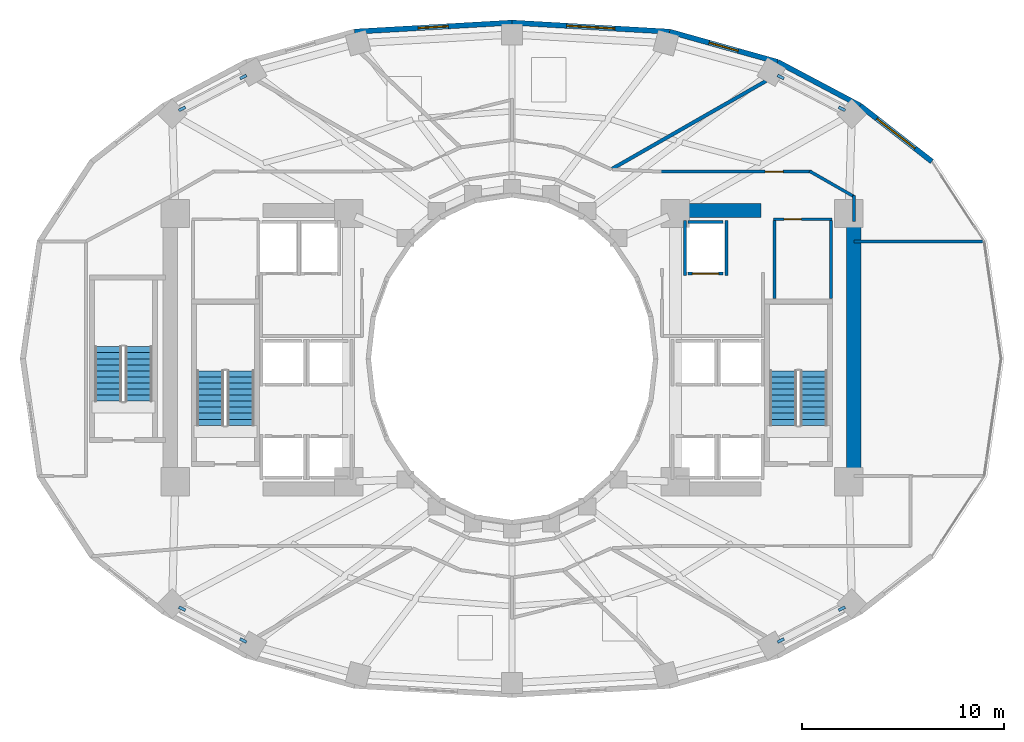
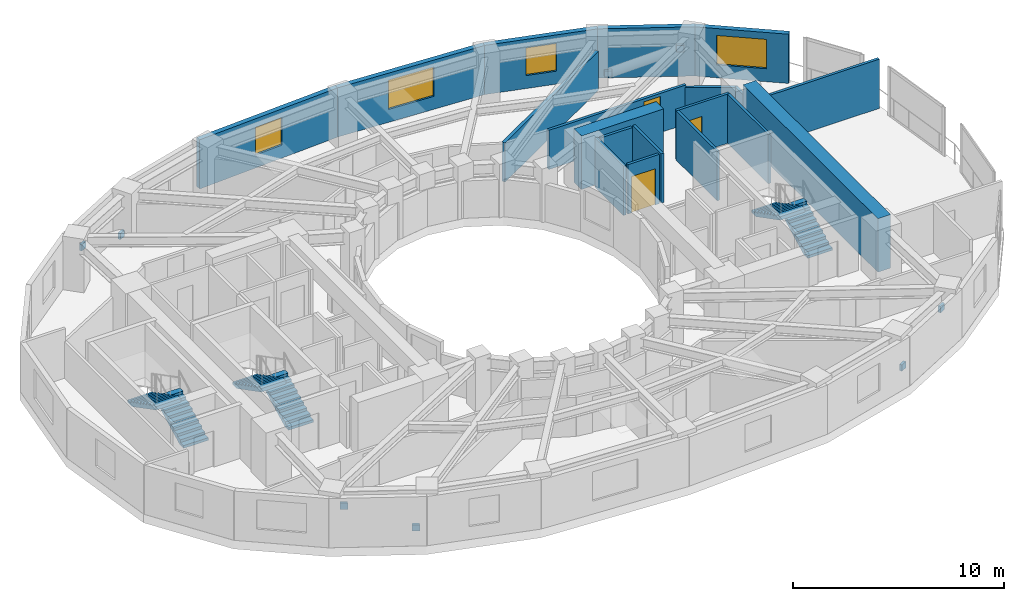
# One storey, part 10 of 13: 19 walls, 8 discrete accessories, 6 stair flights, 4 windows, 3 doors, 7 openings, 3 elements without a shape of their own.
"""IFC4 building model written with IfcOpenShell, lengths in metres."""

from ifc_helpers import new_model, si_unit, direction, frame, frame_2d, origin, origin_2d, place, context, subcontext, project, spatial, polyline, rectangle, outline, extrude, material, layer, layer_set, type_object, element, fill, aggregate, save


model = new_model("IFC4")

# Units and contexts
model_context = context("Model", 3, precision=1e-05, world=origin(), true_north=direction((0.0, 1.0)))
body_context = subcontext(model_context, "Body", "Model", "MODEL_VIEW")
ifc_project = project(units=[si_unit("LENGTHUNIT", "METRE"), si_unit("AREAUNIT", "SQUARE_METRE"), si_unit("VOLUMEUNIT", "CUBIC_METRE"), si_unit("PLANEANGLEUNIT", "RADIAN"), si_unit("MASSUNIT", "GRAM", prefix="KILO")], contexts=[model_context])

# Site, building, storey
site_placement = place(None, origin())
site = spatial("IfcSite", under=ifc_project, at=site_placement, CompositionType="ELEMENT")
building_placement = place(site_placement, origin())
building = spatial("IfcBuilding", under=site, at=building_placement, Name="Solvane Sanctuary Tower", CompositionType="ELEMENT")
storey_placement = place(building_placement, frame((0.0, 0.0, 85.60009765625)))
storey = spatial("IfcBuildingStorey", under=building, at=storey_placement, Name="L25", CompositionType="ELEMENT", Elevation=85.60009765625)

# Walls
ifc_material_1 = material(Name="Concrete C60/75", Category="concrete")
ifc_layer_1 = layer(ifc_material_1, 0.699951171875, Name="Concrete C60/75")
ifc_layer_set_1 = layer_set([ifc_layer_1], Name="Concrete C60/75")
wall_type_1 = type_object("IfcWallType", Name="Wall W-CORE-700", PredefinedType="SHEAR", material=ifc_layer_set_1)
wall_1_placement = place(storey_placement, frame((48.949951171875, 17.050048828125, 0.0), z_axis=(0.0, 0.0, 1.0), x_axis=(0.0, 1.0, 0.0)))
element("IfcWall", 1, at=wall_1_placement, inside=storey, type_object=wall_type_1, Name="L25 Core Shear Wall EC-E", PredefinedType="SHEAR", context=body_context, shape_type="SweptSolid", body=[
    extrude(rectangle(XDim=12.800048828125, YDim=0.699951171875, at=frame_2d((6.39990234375, 0.0))), origin(), (0.0, 0.0, 1.0), 3.099853515625),
])
wall_2_placement = place(storey_placement, frame((39.85009765625, 30.35009765625, 0.0), z_axis=(0.0, 0.0, 1.0), x_axis=(1.0, 0.0, 0.0)))
element("IfcWall", 2, at=wall_2_placement, inside=storey, type_object=wall_type_1, Name="L25 Core Shear Wall EC-N", PredefinedType="SHEAR", context=body_context, shape_type="SweptSolid", body=[
    extrude(rectangle(XDim=4.5, YDim=0.699951171875, at=frame_2d((2.25, 0.0))), origin(), (0.0, 0.0, 1.0), 3.099853515625),
])
ifc_material_2 = material(Name="Acoustic Gypsum Partition Board")
ifc_layer_2 = layer(ifc_material_2, 0.14990234375, Name="Acoustic Gypsum Partition Board")
ifc_layer_set_2 = layer_set([ifc_layer_2], Name="Acoustic Gypsum Partition Board")
wall_type_2 = type_object("IfcWallType", Name="Wall W-CORR-150", PredefinedType="PARTITIONING", material=ifc_layer_set_2)
wall_3_placement = place(storey_placement, frame((48.949951171875, 28.8251953125, 0.0), z_axis=(0.0, 0.0, 1.0), x_axis=(1.0, 0.0, 0.0)))
element("IfcWall", 3, at=wall_3_placement, inside=storey, type_object=wall_type_2, Name="L25 East Shoulder North Wall", PredefinedType="PARTITIONING", context=body_context, shape_type="SweptSolid", body=[
    extrude(rectangle(XDim=6.49169921875, YDim=0.14990234375, at=frame_2d((3.245849609375, 0.0))), origin(), (0.0, 0.0, 1.0), 2.85498046875),
])
wall_4_placement = place(storey_placement, frame((48.949951171875, 29.800048828125, 0.0), z_axis=(0.0, 0.0, 1.0), x_axis=(0.0, 1.0, 0.0)))
element("IfcWall", 4, at=wall_4_placement, inside=storey, type_object=wall_type_2, Name="L25 NE Corner Closer 1", PredefinedType="PARTITIONING", context=body_context, shape_type="SweptSolid", body=[
    extrude(rectangle(XDim=1.2900390625, YDim=0.14990234375, at=frame_2d((0.64501953125, 0.0))), origin(), (0.0, 0.0, 1.0), 2.141845703125),
])

# Wall, opening, door
wall_5_placement = place(storey_placement, frame((39.330078125, 32.280029296875, 0.0), z_axis=(0.0, 0.0, 1.0), x_axis=(1.0, 0.0, 0.0)))
wall_5 = element("IfcWall", 5, at=wall_5_placement, inside=storey, type_object=wall_type_2, Name="L25 NE Corner Corridor Wall", PredefinedType="PARTITIONING", context=body_context, shape_type="SweptSolid", body=[
    extrude(rectangle(XDim=7.52001953125, YDim=0.14990234375, at=frame_2d((3.760009765625, 0.0))), origin(), (0.0, 0.0, 1.0), 2.27197265625),
])
opening_1_placement = place(wall_5_placement, frame((5.219970703125, 0.0, 0.0)))
opening_1 = element("IfcOpeningElement", 6, at=opening_1_placement, cuts=wall_5, Name="Opening D-L25-10", PredefinedType="OPENING", context=body_context, shape_type="SweptSolid", body=[
    extrude(rectangle(XDim=0.89990234375, YDim=2.10009765625, at=frame_2d((0.449951171875, 1.050048828125))), frame((0.0, 0.0849609375, 0.0), z_axis=(0.0, -1.0, 0.0), x_axis=(1.0, 0.0, 0.0)), (0.0, 0.0, 1.0), 0.169921875),
])
ifc_material_3 = material(Name="Engineered Tropical Hardwood", Category="wood")
door_type_1 = type_object("IfcDoorType", Name="Door D-WET-900", OperationType="NOTDEFINED", PredefinedType="DOOR", material=ifc_material_3)
door_1_placement = place(opening_1_placement, origin())
door_1 = element("IfcDoor", 7, at=door_1_placement, inside=storey, type_object=door_type_1, Name="L25 NE Corner Salon Door", OperationType="SINGLE_SWING_LEFT", OverallHeight=2.10009765625, OverallWidth=0.89990234375, PredefinedType="DOOR", context=body_context, shape_type="SweptSolid", body=[
    extrude(rectangle(XDim=0.89990234375, YDim=2.10009765625, at=frame_2d((0.449951171875, 1.050048828125))), frame((0.0, 0.02490234375, 0.0), z_axis=(0.0, -1.0, 0.0), x_axis=(1.0, 0.0, 0.0)), (0.0, 0.0, 1.0), 0.050048828125),
])
fill(opening_1, door_1)

# Wall
wall_6_placement = place(storey_placement, frame((46.756591796875, 32.3046875, 0.0), z_axis=(0.0, 0.0, 1.0), x_axis=(0.867991349648, -0.496579315857, 0.0)))
element("IfcWall", 8, at=wall_6_placement, inside=storey, type_object=wall_type_2, Name="L25 NE Corner Wing Wall", PredefinedType="PARTITIONING", context=body_context, shape_type="SweptSolid", body=[
    extrude(rectangle(XDim=2.56689453125, YDim=0.14990234375, at=frame_2d((1.283447265625, 0.0))), origin(), (0.0, 0.0, 1.0), 2.141845703125),
])

# Wall, opening, window
ifc_material_4 = material(Name="Precast concrete C40/50", Category="concrete")
ifc_layer_3 = layer(ifc_material_4, 0.260009765625, Name="Precast concrete C40/50")
ifc_layer_set_3 = layer_set([ifc_layer_3], Name="Precast concrete C40/50")
wall_type_3 = type_object("IfcWallType", Name="Wall W-EXT-250", PredefinedType="STANDARD", material=ifc_layer_set_3)
wall_7_placement = place(storey_placement, frame((52.820556640625, 32.786376953125, 0.0), z_axis=(0.0, 0.0, 1.0), x_axis=(-0.789127449954, 0.614229491094, 0.0)))
wall_7 = element("IfcWall", 9, at=wall_7_placement, inside=storey, type_object=wall_type_3, Name="L25 Ceramic-Printed Facade Wall 02", PredefinedType="STANDARD", context=body_context, shape_type="SweptSolid", body=[
    extrude(rectangle(XDim=4.504638671875, YDim=0.260009765625, at=frame_2d((2.25244140625, 0.0))), origin(), (0.0, 0.0, 1.0), 2.849853515625),
])
opening_2_placement = place(wall_7_placement, frame((1.05224609375, 0.0, 0.75)))
opening_2 = element("IfcOpeningElement", 10, at=opening_2_placement, cuts=wall_7, Name="Opening WN-RIB-2400", PredefinedType="OPENING", context=body_context, shape_type="SweptSolid", body=[
    extrude(rectangle(XDim=2.39990234375, YDim=1.699951171875, at=frame_2d((1.199951171875, 0.85009765625))), frame((0.0, 0.139892578125, 0.0), z_axis=(0.0, -1.0, 0.0), x_axis=(1.0, 0.0, 0.0)), (0.0, 0.0, 1.0), 0.280029296875),
])
ifc_material_5 = material(Name="Dark Ceramic-Fritted Low-E Glass", Category="glass")
window_type_1 = type_object("IfcWindowType", Name="Window WN-RIB-2400", PartitioningType="SINGLE_PANEL", PredefinedType="WINDOW", material=ifc_material_5)
window_1_placement = place(opening_2_placement, origin())
window_1 = element("IfcWindow", 11, at=window_1_placement, inside=storey, type_object=window_type_1, Name="L25 Operable Facade Window 02", OverallHeight=1.699951171875, OverallWidth=2.39990234375, PartitioningType="SINGLE_PANEL", PredefinedType="WINDOW", context=body_context, shape_type="SweptSolid", body=[
    extrude(rectangle(XDim=2.39990234375, YDim=1.699951171875, at=frame_2d((1.199951171875, 0.85009765625))), frame((0.0, 0.030029296875, 0.0), z_axis=(0.0, -1.0, 0.0), x_axis=(1.0, 0.0, 0.0)), (0.0, 0.0, 1.0), 0.06005859375),
])
fill(opening_2, window_1)

# Wall
wall_8_placement = place(storey_placement, frame((49.265869140625, 35.55322265625, 0.0), z_axis=(0.0, 0.0, 1.0), x_axis=(-0.883668636807, 0.4681129568, 0.0)))
element("IfcWall", 12, at=wall_8_placement, inside=storey, type_object=wall_type_3, Name="L25 Ceramic-Printed Facade Wall 03", PredefinedType="STANDARD", context=body_context, shape_type="SweptSolid", body=[
    extrude(rectangle(XDim=4.63134765625, YDim=0.260009765625, at=frame_2d((2.315673828125, 0.0))), origin(), (0.0, 0.0, 1.0), 2.849853515625),
])

# Wall, opening, window
wall_9_placement = place(storey_placement, frame((45.17333984375, 37.72119140625, 0.0), z_axis=(0.0, 0.0, 1.0), x_axis=(-0.962938491413, 0.269721081407, 0.0)))
wall_9 = element("IfcWall", 13, at=wall_9_placement, inside=storey, type_object=wall_type_3, Name="L25 Ceramic-Printed Facade Wall 04", PredefinedType="STANDARD", context=body_context, shape_type="SweptSolid", body=[
    extrude(rectangle(XDim=5.563232421875, YDim=0.260009765625, at=frame_2d((2.78173828125, 0.0))), origin(), (0.0, 0.0, 1.0), 2.849853515625),
])
opening_3_placement = place(wall_9_placement, frame((2.031494140625, 0.0, 0.75)))
opening_3 = element("IfcOpeningElement", 14, at=opening_3_placement, cuts=wall_9, Name="Opening WN-OPER-1500", PredefinedType="OPENING", context=body_context, shape_type="SweptSolid", body=[
    extrude(rectangle(XDim=1.5, YDim=1.60009765625, at=frame_2d((0.75, 0.800048828125))), frame((0.0, 0.139892578125, 0.0), z_axis=(0.0, -1.0, 0.0), x_axis=(1.0, 0.0, 0.0)), (0.0, 0.0, 1.0), 0.280029296875),
])
window_type_2 = type_object("IfcWindowType", Name="Window WN-OPER-1500", PartitioningType="SINGLE_PANEL", PredefinedType="WINDOW", material=ifc_material_5)
window_2_placement = place(opening_3_placement, origin())
window_2 = element("IfcWindow", 15, at=window_2_placement, inside=storey, type_object=window_type_2, Name="L25 Operable Facade Window 04", OverallHeight=1.60009765625, OverallWidth=1.5, PartitioningType="SINGLE_PANEL", PredefinedType="WINDOW", context=body_context, shape_type="SweptSolid", body=[
    extrude(rectangle(XDim=1.5, YDim=1.60009765625, at=frame_2d((0.75, 0.800048828125))), frame((0.0, 0.030029296875, 0.0), z_axis=(0.0, -1.0, 0.0), x_axis=(1.0, 0.0, 0.0)), (0.0, 0.0, 1.0), 0.06005859375),
])
fill(opening_3, window_2)

wall_10_placement = place(storey_placement, frame((39.81640625, 39.2216796875, 0.0), z_axis=(0.0, 0.0, 1.0), x_axis=(-0.998352606703, 0.057376586592, 0.0)))
wall_10 = element("IfcWall", 16, at=wall_10_placement, inside=storey, type_object=wall_type_3, Name="L25 Ceramic-Printed Facade Wall 05", PredefinedType="STANDARD", context=body_context, shape_type="SweptSolid", body=[
    extrude(rectangle(XDim=7.829345703125, YDim=0.260009765625, at=frame_2d((3.91455078125, 0.0))), origin(), (0.0, 0.0, 1.0), 2.849853515625),
])
opening_4_placement = place(wall_10_placement, frame((2.714599609375, 0.0, 0.75)))
opening_4 = element("IfcOpeningElement", 17, at=opening_4_placement, cuts=wall_10, Name="Opening WN-RIB-2400", PredefinedType="OPENING", context=body_context, shape_type="SweptSolid", body=[
    extrude(rectangle(XDim=2.39990234375, YDim=1.699951171875, at=frame_2d((1.199951171875, 0.85009765625))), frame((0.0, 0.139892578125, 0.0), z_axis=(0.0, -1.0, 0.0), x_axis=(1.0, 0.0, 0.0)), (0.0, 0.0, 1.0), 0.280029296875),
])
window_3_placement = place(opening_4_placement, origin())
window_3 = element("IfcWindow", 18, at=window_3_placement, inside=storey, type_object=window_type_1, Name="L25 Operable Facade Window 05", OverallHeight=1.699951171875, OverallWidth=2.39990234375, PartitioningType="SINGLE_PANEL", PredefinedType="WINDOW", context=body_context, shape_type="SweptSolid", body=[
    extrude(rectangle(XDim=2.39990234375, YDim=1.699951171875, at=frame_2d((1.199951171875, 0.85009765625))), frame((0.0, 0.030029296875, 0.0), z_axis=(0.0, -1.0, 0.0), x_axis=(1.0, 0.0, 0.0)), (0.0, 0.0, 1.0), 0.06005859375),
])
fill(opening_4, window_3)

wall_11_placement = place(storey_placement, frame((32.0, 39.6708984375, 0.0), z_axis=(0.0, 0.0, 1.0), x_axis=(-0.998352606703, -0.057376586592, 0.0)))
wall_11 = element("IfcWall", 19, at=wall_11_placement, inside=storey, type_object=wall_type_3, Name="L25 Ceramic-Printed Facade Wall 06", PredefinedType="STANDARD", context=body_context, shape_type="SweptSolid", body=[
    extrude(rectangle(XDim=7.829345703125, YDim=0.260009765625, at=frame_2d((3.91455078125, 0.0))), origin(), (0.0, 0.0, 1.0), 2.849853515625),
])
opening_5_placement = place(wall_11_placement, frame((3.16455078125, 0.0, 0.75)))
opening_5 = element("IfcOpeningElement", 20, at=opening_5_placement, cuts=wall_11, Name="Opening WN-OPER-1500", PredefinedType="OPENING", context=body_context, shape_type="SweptSolid", body=[
    extrude(rectangle(XDim=1.5, YDim=1.60009765625, at=frame_2d((0.75, 0.800048828125))), frame((0.0, 0.139892578125, 0.0), z_axis=(0.0, -1.0, 0.0), x_axis=(1.0, 0.0, 0.0)), (0.0, 0.0, 1.0), 0.280029296875),
])
window_4_placement = place(opening_5_placement, origin())
window_4 = element("IfcWindow", 21, at=window_4_placement, inside=storey, type_object=window_type_2, Name="L25 Operable Facade Window 06", OverallHeight=1.60009765625, OverallWidth=1.5, PartitioningType="SINGLE_PANEL", PredefinedType="WINDOW", context=body_context, shape_type="SweptSolid", body=[
    extrude(rectangle(XDim=1.5, YDim=1.60009765625, at=frame_2d((0.75, 0.800048828125))), frame((0.0, 0.030029296875, 0.0), z_axis=(0.0, -1.0, 0.0), x_axis=(1.0, 0.0, 0.0)), (0.0, 0.0, 1.0), 0.06005859375),
])
fill(opening_5, window_4)

# Wall, opening, door
ifc_material_6 = material(Name="Concrete C50/60", Category="concrete")
ifc_layer_4 = layer(ifc_material_6, 0.14990234375, Name="Concrete C50/60")
ifc_layer_set_4 = layer_set([ifc_layer_4], Name="Concrete C50/60")
wall_type_4 = type_object("IfcWallType", Name="Wall W-SHAFT-150", PredefinedType="SOLIDWALL", material=ifc_layer_set_4)
wall_12_placement = place(storey_placement, frame((40.739990234375, 27.219970703125, 0.0), z_axis=(0.0, 0.0, 1.0), x_axis=(1.0, 0.0, 0.0)))
wall_12 = element("IfcWall", 22, at=wall_12_placement, inside=storey, type_object=wall_type_4, Name="L25 FFL-2 Lift Shaft Wall F", PredefinedType="SOLIDWALL", context=body_context, shape_type="SweptSolid", body=[
    extrude(rectangle(XDim=1.719970703125, YDim=0.14990234375, at=frame_2d((0.85986328125, 0.0))), origin(), (0.0, 0.0, 1.0), 2.85498046875),
])
opening_6_placement = place(wall_12_placement, frame((0.2099609375, 0.0, 0.0)))
opening_6 = element("IfcOpeningElement", 23, at=opening_6_placement, cuts=wall_12, Name="Opening LD-L25-07", PredefinedType="OPENING", context=body_context, shape_type="SweptSolid", body=[
    extrude(rectangle(XDim=1.300048828125, YDim=2.10009765625, at=frame_2d((0.64990234375, 1.050048828125))), frame((0.0, 0.0849609375, 0.0), z_axis=(0.0, -1.0, 0.0), x_axis=(1.0, 0.0, 0.0)), (0.0, 0.0, 1.0), 0.169921875),
])
ifc_material_7 = material(Name="Architectural Stainless Steel 316", Category="steel")
door_type_2 = type_object("IfcDoorType", Name="Door LD-FFL-1300", OperationType="NOTDEFINED", PredefinedType="DOOR", material=ifc_material_7)
door_2_placement = place(opening_6_placement, origin())
door_2 = element("IfcDoor", 24, at=door_2_placement, inside=storey, type_object=door_type_2, Name="L25 FFL-2 Lift Landing Door", OperationType="DOUBLE_DOOR_SLIDING", OverallHeight=2.10009765625, OverallWidth=1.300048828125, PredefinedType="DOOR", context=body_context, shape_type="SweptSolid", body=[
    extrude(rectangle(XDim=1.300048828125, YDim=2.10009765625, at=frame_2d((0.64990234375, 1.050048828125))), frame((0.0, 0.02490234375, 0.0), z_axis=(0.0, -1.0, 0.0), x_axis=(1.0, 0.0, 0.0)), (0.0, 0.0, 1.0), 0.050048828125),
])
fill(opening_6, door_2)

# Walls
wall_13_placement = place(storey_placement, frame((40.739990234375, 29.780029296875, 0.0), z_axis=(0.0, 0.0, 1.0), x_axis=(1.0, 0.0, 0.0)))
element("IfcWall", 25, at=wall_13_placement, inside=storey, type_object=wall_type_4, Name="L25 FFL-2 Lift Shaft Wall B", PredefinedType="SOLIDWALL", context=body_context, shape_type="SweptSolid", body=[
    extrude(rectangle(XDim=1.719970703125, YDim=0.14990234375, at=frame_2d((0.85986328125, 0.0))), origin(), (0.0, 0.0, 1.0), 2.85498046875),
])
for number, where, z_axis, x_axis, name in (
    (26, (40.570068359375, 27.139892578125, 0.0), (0.0, 0.0, 1.0), (0.0, 1.0, 0.0), "L25 FFL-2 Lift Shaft Wall S1"),
    (27, (42.6298828125, 27.139892578125, 0.0), (0.0, 0.0, 1.0), (0.0, 1.0, 0.0), "L25 FFL-2 Lift Shaft Wall S2"),
):
    element("IfcWall", number, at=place(storey_placement, frame(where, z_axis=z_axis, x_axis=x_axis)), inside=storey, type_object=wall_type_4, Name=name, PredefinedType="SOLIDWALL", context=body_context, shape_type="SweptSolid", body=[
        extrude(rectangle(XDim=2.72021484375, YDim=0.14990234375, at=frame_2d((1.360107421875, 0.0))), origin(), (0.0, 0.0, 1.0), 2.85498046875),
    ])
ifc_layer_5 = layer(ifc_material_2, 0.179931640625, Name="Acoustic Gypsum Partition Board")
ifc_layer_set_5 = layer_set([ifc_layer_5], Name="Acoustic Gypsum Partition Board")
wall_type_5 = type_object("IfcWallType", Name="Wall W-UNIT-180", PredefinedType="PARTITIONING", material=ifc_layer_set_5)
wall_14_placement = place(storey_placement, frame((36.972900390625, 32.423583984375, 0.0), z_axis=(0.0, 0.0, 1.0), x_axis=(0.868484076301, 0.495717065685, 0.0)))
element("IfcWall", 28, at=wall_14_placement, inside=storey, type_object=wall_type_5, Name="L25 Radial Compartment Wall 060", PredefinedType="PARTITIONING", context=body_context, shape_type="SweptSolid", body=[
    extrude(rectangle(XDim=8.78857421875, YDim=0.179931640625, at=frame_2d((4.394287109375, 0.0))), origin(), (0.0, 0.0, 1.0), 2.27197265625),
])

# Wall, opening, door
ifc_layer_6 = layer(ifc_material_2, 0.139892578125, Name="Acoustic Gypsum Partition Board")
ifc_layer_set_6 = layer_set([ifc_layer_6], Name="Acoustic Gypsum Partition Board")
wall_type_6 = type_object("IfcWallType", Name="Wall W-WET-140", PredefinedType="PLUMBINGWALL", material=ifc_layer_set_6)
wall_15_placement = place(storey_placement, frame((44.97998046875, 29.919921875, 0.0), z_axis=(0.0, 0.0, 1.0), x_axis=(1.0, 0.0, 0.0)))
wall_15 = element("IfcWall", 29, at=wall_15_placement, inside=storey, type_object=wall_type_6, Name="L25 Core Service Front Wall KE0", PredefinedType="PLUMBINGWALL", context=body_context, shape_type="SweptSolid", body=[
    extrude(rectangle(XDim=2.89990234375, YDim=0.139892578125, at=frame_2d((1.449951171875, 0.0))), origin(), (0.0, 0.0, 1.0), 2.85498046875),
])
opening_7_placement = place(wall_15_placement, frame((0.515869140625, 0.0, 0.0)))
opening_7 = element("IfcOpeningElement", 30, at=opening_7_placement, cuts=wall_15, Name="Opening D-L25-07", PredefinedType="OPENING", context=body_context, shape_type="SweptSolid", body=[
    extrude(rectangle(XDim=0.85009765625, YDim=2.050048828125, at=frame_2d((0.425048828125, 1.02490234375))), frame((0.0, 0.079833984375, 0.0), z_axis=(0.0, -1.0, 0.0), x_axis=(1.0, 0.0, 0.0)), (0.0, 0.0, 1.0), 0.159912109375),
])
door_type_3 = type_object("IfcDoorType", Name="Door D-RISER", OperationType="NOTDEFINED", PredefinedType="DOOR", material=ifc_material_7)
door_3_placement = place(opening_7_placement, origin())
door_3 = element("IfcDoor", 31, at=door_3_placement, inside=storey, type_object=door_type_3, Name="L25 Core Service Room Door KE0-1", OperationType="SINGLE_SWING_RIGHT", OverallHeight=2.050048828125, OverallWidth=0.85009765625, PredefinedType="DOOR", context=body_context, shape_type="SweptSolid", body=[
    extrude(rectangle(XDim=0.85009765625, YDim=2.050048828125, at=frame_2d((0.425048828125, 1.02490234375))), frame((0.0, 0.02490234375, 0.0), z_axis=(0.0, -1.0, 0.0), x_axis=(1.0, 0.0, 0.0)), (0.0, 0.0, 1.0), 0.050048828125),
])
fill(opening_7, door_3)

# Walls
for number, where, z_axis, x_axis, name in (
    (32, (45.02001953125, 25.97998046875, 0.0), (0.0, 0.0, 1.0), (0.0, 1.0, 0.0), "L25 Core Service Side Wall KE0-1"),
    (33, (47.820068359375, 25.97998046875, 0.0), (0.0, 0.0, 1.0), (0.0, 1.0, 0.0), "L25 Core Service Side Wall KE0-2"),
):
    element("IfcWall", number, at=place(storey_placement, frame(where, z_axis=z_axis, x_axis=x_axis)), inside=storey, type_object=wall_type_6, Name=name, PredefinedType="PLUMBINGWALL", context=body_context, shape_type="SweptSolid", body=[
        extrude(rectangle(XDim=3.880126953125, YDim=0.139892578125, at=frame_2d((1.93994140625, 0.0))), origin(), (0.0, 0.0, 1.0), 2.85498046875),
    ])

# Stair, stair flights
ifc_material_8 = material(Name="Concrete C45/55", Category="concrete")
stair_type = type_object("IfcStairType", Name="Stair ST-TOW", PredefinedType="HALF_TURN_STAIR", material=ifc_material_8)
stair_1_placement = place(storey_placement, origin())
stair_1 = element("IfcStair", 34, at=stair_1_placement, inside=storey, type_object=stair_type, Name="L25 Exit Stair ST-1 West Core", PredefinedType="HALF_TURN_STAIR")
stair_flight_type = type_object("IfcStairFlightType", Name="StairFlight SF-TOW", PredefinedType="STRAIGHT", material=ifc_material_8)
stair_flight_1_placement = place(storey_placement, frame((18.544921875, 19.699951171875, 0.0), z_axis=(0.0, 0.0, 1.0), x_axis=(0.0, 1.0, 0.0)))
stair_flight_1 = element("IfcStairFlight", 35, at=stair_flight_1_placement, type_object=stair_flight_type, Name="ST-1 flight 1", NumberOfRisers=10, NumberOfTreads=9, PredefinedType="STRAIGHT", RiserHeight=0.155, TreadLength=0.3, context=body_context, shape_type="SweptSolid", body=[
    extrude(outline(polyline([(0.0, 0.0), (0.0, 0.155029296875), (0.300048828125, 0.155029296875), (0.300048828125, 0.31005859375), (0.60009765625, 0.31005859375), (0.60009765625, 0.465087890625), (0.89990234375, 0.465087890625), (0.89990234375, 0.6201171875), (1.199951171875, 0.6201171875), (1.199951171875, 0.77490234375), (1.5, 0.77490234375), (1.5, 0.929931640625), (1.800048828125, 0.929931640625), (1.800048828125, 1.0849609375), (2.10009765625, 1.0849609375), (2.10009765625, 1.239990234375), (2.39990234375, 1.239990234375), (2.39990234375, 1.39501953125), (2.699951171875, 1.39501953125), (2.699951171875, 1.550048828125), (2.699951171875, 1.1923828125), (0.39208984375, 0.0), (0.0, 0.0)])), frame((0.0, 0.675048828125, 0.0), z_axis=(0.0, -1.0, 0.0), x_axis=(1.0, 0.0, 0.0)), (0.0, 0.0, 1.0), 1.35009765625),
])
stair_flight_2_placement = place(storey_placement, frame((17.034912109375, 22.39990234375, 1.5498046875), z_axis=(0.0, 0.0, 1.0), x_axis=(0.0, -1.0, 0.0)))
stair_flight_2 = element("IfcStairFlight", 36, at=stair_flight_2_placement, type_object=stair_flight_type, Name="ST-1 flight 2", NumberOfRisers=10, NumberOfTreads=9, PredefinedType="STRAIGHT", RiserHeight=0.155, TreadLength=0.3, context=body_context, shape_type="SweptSolid", body=[
    extrude(outline(polyline([(0.0, 0.0), (0.0, 0.155029296875), (0.300048828125, 0.155029296875), (0.300048828125, 0.31005859375), (0.60009765625, 0.31005859375), (0.60009765625, 0.465087890625), (0.89990234375, 0.465087890625), (0.89990234375, 0.6201171875), (1.199951171875, 0.6201171875), (1.199951171875, 0.77490234375), (1.5, 0.77490234375), (1.5, 0.929931640625), (1.800048828125, 0.929931640625), (1.800048828125, 1.0849609375), (2.10009765625, 1.0849609375), (2.10009765625, 1.239990234375), (2.39990234375, 1.239990234375), (2.39990234375, 1.39501953125), (2.699951171875, 1.39501953125), (2.699951171875, 1.550048828125), (2.699951171875, 1.1923828125), (0.39208984375, 0.0), (0.0, 0.0)])), frame((0.0, 0.675048828125, 0.0), z_axis=(0.0, -1.0, 0.0), x_axis=(1.0, 0.0, 0.0)), (0.0, 0.0, 1.0), 1.35009765625),
])
aggregate(stair_1, [stair_flight_1, stair_flight_2])

stair_2_placement = place(storey_placement, origin())
stair_2 = element("IfcStair", 37, at=stair_2_placement, inside=storey, type_object=stair_type, Name="L25 Exit Stair ST-2 East Core", PredefinedType="HALF_TURN_STAIR")
stair_flight_3_placement = place(storey_placement, frame((46.965087890625, 19.699951171875, 0.0), z_axis=(0.0, 0.0, 1.0), x_axis=(0.0, 1.0, 0.0)))
stair_flight_3 = element("IfcStairFlight", 38, at=stair_flight_3_placement, type_object=stair_flight_type, Name="ST-2 flight 1", NumberOfRisers=10, NumberOfTreads=9, PredefinedType="STRAIGHT", RiserHeight=0.155, TreadLength=0.3, context=body_context, shape_type="SweptSolid", body=[
    extrude(outline(polyline([(0.0, 0.0), (0.0, 0.155029296875), (0.300048828125, 0.155029296875), (0.300048828125, 0.31005859375), (0.60009765625, 0.31005859375), (0.60009765625, 0.465087890625), (0.89990234375, 0.465087890625), (0.89990234375, 0.6201171875), (1.199951171875, 0.6201171875), (1.199951171875, 0.77490234375), (1.5, 0.77490234375), (1.5, 0.929931640625), (1.800048828125, 0.929931640625), (1.800048828125, 1.0849609375), (2.10009765625, 1.0849609375), (2.10009765625, 1.239990234375), (2.39990234375, 1.239990234375), (2.39990234375, 1.39501953125), (2.699951171875, 1.39501953125), (2.699951171875, 1.550048828125), (2.699951171875, 1.1923828125), (0.39208984375, 0.0), (0.0, 0.0)])), frame((0.0, 0.675048828125, 0.0), z_axis=(0.0, -1.0, 0.0), x_axis=(1.0, 0.0, 0.0)), (0.0, 0.0, 1.0), 1.35009765625),
])
stair_flight_4_placement = place(storey_placement, frame((45.455078125, 22.39990234375, 1.5498046875), z_axis=(0.0, 0.0, 1.0), x_axis=(0.0, -1.0, 0.0)))
stair_flight_4 = element("IfcStairFlight", 39, at=stair_flight_4_placement, type_object=stair_flight_type, Name="ST-2 flight 2", NumberOfRisers=10, NumberOfTreads=9, PredefinedType="STRAIGHT", RiserHeight=0.155, TreadLength=0.3, context=body_context, shape_type="SweptSolid", body=[
    extrude(outline(polyline([(0.0, 0.0), (0.0, 0.155029296875), (0.300048828125, 0.155029296875), (0.300048828125, 0.31005859375), (0.60009765625, 0.31005859375), (0.60009765625, 0.465087890625), (0.89990234375, 0.465087890625), (0.89990234375, 0.6201171875), (1.199951171875, 0.6201171875), (1.199951171875, 0.77490234375), (1.5, 0.77490234375), (1.5, 0.929931640625), (1.800048828125, 0.929931640625), (1.800048828125, 1.0849609375), (2.10009765625, 1.0849609375), (2.10009765625, 1.239990234375), (2.39990234375, 1.239990234375), (2.39990234375, 1.39501953125), (2.699951171875, 1.39501953125), (2.699951171875, 1.550048828125), (2.699951171875, 1.1923828125), (0.39208984375, 0.0), (0.0, 0.0)])), frame((0.0, 0.675048828125, 0.0), z_axis=(0.0, -1.0, 0.0), x_axis=(1.0, 0.0, 0.0)), (0.0, 0.0, 1.0), 1.35009765625),
])
aggregate(stair_2, [stair_flight_3, stair_flight_4])

stair_3_placement = place(storey_placement, origin())
stair_3 = element("IfcStair", 40, at=stair_3_placement, inside=storey, type_object=stair_type, Name="L25 Exit Stair ST-3 Pilgrim Tower Stair", PredefinedType="HALF_TURN_STAIR")
stair_flight_5_placement = place(storey_placement, frame((13.485107421875, 20.89990234375, 0.0), z_axis=(0.0, 0.0, 1.0), x_axis=(0.0, 1.0, 0.0)))
stair_flight_5 = element("IfcStairFlight", 41, at=stair_flight_5_placement, type_object=stair_flight_type, Name="ST-3 flight 1", NumberOfRisers=10, NumberOfTreads=9, PredefinedType="STRAIGHT", RiserHeight=0.155, TreadLength=0.3, context=body_context, shape_type="SweptSolid", body=[
    extrude(outline(polyline([(0.0, 0.0), (0.0, 0.155029296875), (0.300048828125, 0.155029296875), (0.300048828125, 0.31005859375), (0.60009765625, 0.31005859375), (0.60009765625, 0.465087890625), (0.89990234375, 0.465087890625), (0.89990234375, 0.6201171875), (1.199951171875, 0.6201171875), (1.199951171875, 0.77490234375), (1.5, 0.77490234375), (1.5, 0.929931640625), (1.800048828125, 0.929931640625), (1.800048828125, 1.0849609375), (2.10009765625, 1.0849609375), (2.10009765625, 1.239990234375), (2.39990234375, 1.239990234375), (2.39990234375, 1.39501953125), (2.699951171875, 1.39501953125), (2.699951171875, 1.550048828125), (2.699951171875, 1.1923828125), (0.39208984375, 0.0), (0.0, 0.0)])), frame((0.0, 0.675048828125, 0.0), z_axis=(0.0, -1.0, 0.0), x_axis=(1.0, 0.0, 0.0)), (0.0, 0.0, 1.0), 1.35009765625),
])
stair_flight_6_placement = place(storey_placement, frame((11.97509765625, 23.60009765625, 1.5498046875), z_axis=(0.0, 0.0, 1.0), x_axis=(0.0, -1.0, 0.0)))
stair_flight_6 = element("IfcStairFlight", 42, at=stair_flight_6_placement, type_object=stair_flight_type, Name="ST-3 flight 2", NumberOfRisers=10, NumberOfTreads=9, PredefinedType="STRAIGHT", RiserHeight=0.155, TreadLength=0.3, context=body_context, shape_type="SweptSolid", body=[
    extrude(outline(polyline([(0.0, 0.0), (0.0, 0.155029296875), (0.300048828125, 0.155029296875), (0.300048828125, 0.31005859375), (0.60009765625, 0.31005859375), (0.60009765625, 0.465087890625), (0.89990234375, 0.465087890625), (0.89990234375, 0.6201171875), (1.199951171875, 0.6201171875), (1.199951171875, 0.77490234375), (1.5, 0.77490234375), (1.5, 0.929931640625), (1.800048828125, 0.929931640625), (1.800048828125, 1.0849609375), (2.10009765625, 1.0849609375), (2.10009765625, 1.239990234375), (2.39990234375, 1.239990234375), (2.39990234375, 1.39501953125), (2.699951171875, 1.39501953125), (2.699951171875, 1.550048828125), (2.699951171875, 1.1923828125), (0.39208984375, 0.0), (0.0, 0.0)])), frame((0.0, 0.675048828125, 0.0), z_axis=(0.0, -1.0, 0.0), x_axis=(1.0, 0.0, 0.0)), (0.0, 0.0, 1.0), 1.35009765625),
])
aggregate(stair_3, [stair_flight_5, stair_flight_6])

# Discrete accessories
ifc_material_9 = material(Name="Steel ASTM A572 Grade 50", Category="steel")
ifc_layer_7 = layer(ifc_material_9, 0.360107421875, Name="Steel ASTM A572 Grade 50")
ifc_layer_set_7 = layer_set([ifc_layer_7], Name="Steel ASTM A572 Grade 50")
discrete_accessory_type = type_object("IfcDiscreteAccessoryType", Name="Accessory ACC-GUSSET-BRK", PredefinedType="BRACKET", material=ifc_layer_set_7)
for number, where, z_axis, x_axis, name in (
    (43, (45.32861328125, 36.97265625, 0.41064453125), (0.0, 0.0, 1.0), (0.887010833178, -0.461748613235, 0.0), "L25 Perimeter Braced-Tube Diagonal NE End Gusset Bracket A"),
    (44, (48.360595703125, 35.39453125, 1.77099609375), (0.0, 0.0, 1.0), (0.887010833178, -0.461748613235, 0.0), "L25 Perimeter Braced-Tube Diagonal NE End Gusset Bracket B"),
    (45, (18.67138671875, 36.97265625, 0.41064453125), (0.0, 0.0, 1.0), (-0.887010833178, -0.461748613235, 0.0), "L25 Perimeter Braced-Tube Diagonal NW End Gusset Bracket A"),
    (46, (15.639404296875, 35.39453125, 1.77099609375), (0.0, 0.0, 1.0), (-0.887010833178, -0.461748613235, 0.0), "L25 Perimeter Braced-Tube Diagonal NW End Gusset Bracket B"),
    (47, (18.67138671875, 9.02734375, 0.41064453125), (0.0, 0.0, 1.0), (-0.887010833178, 0.461748613235, 0.0), "L25 Perimeter Braced-Tube Diagonal SW End Gusset Bracket A"),
    (48, (15.639404296875, 10.60546875, 1.77099609375), (0.0, 0.0, 1.0), (-0.887010833178, 0.461748613235, 0.0), "L25 Perimeter Braced-Tube Diagonal SW End Gusset Bracket B"),
    (49, (45.32861328125, 9.02734375, 0.41064453125), (0.0, 0.0, 1.0), (0.887010833178, 0.461748613235, 0.0), "L25 Perimeter Braced-Tube Diagonal SE End Gusset Bracket A"),
    (50, (48.360595703125, 10.60546875, 1.77099609375), (0.0, 0.0, 1.0), (0.887010833178, 0.461748613235, 0.0), "L25 Perimeter Braced-Tube Diagonal SE End Gusset Bracket B"),
):
    element("IfcDiscreteAccessory", number, at=place(storey_placement, frame(where, z_axis=z_axis, x_axis=x_axis)), inside=storey, type_object=discrete_accessory_type, Name=name, PredefinedType="BRACKET", context=body_context, shape_type="SweptSolid", body=[
        extrude(rectangle(XDim=0.360107421875, YDim=0.139892578125, at=origin_2d()), origin(), (0.0, 0.0, 1.0), 0.360107421875),
    ])

save(model, "model.ifc")
